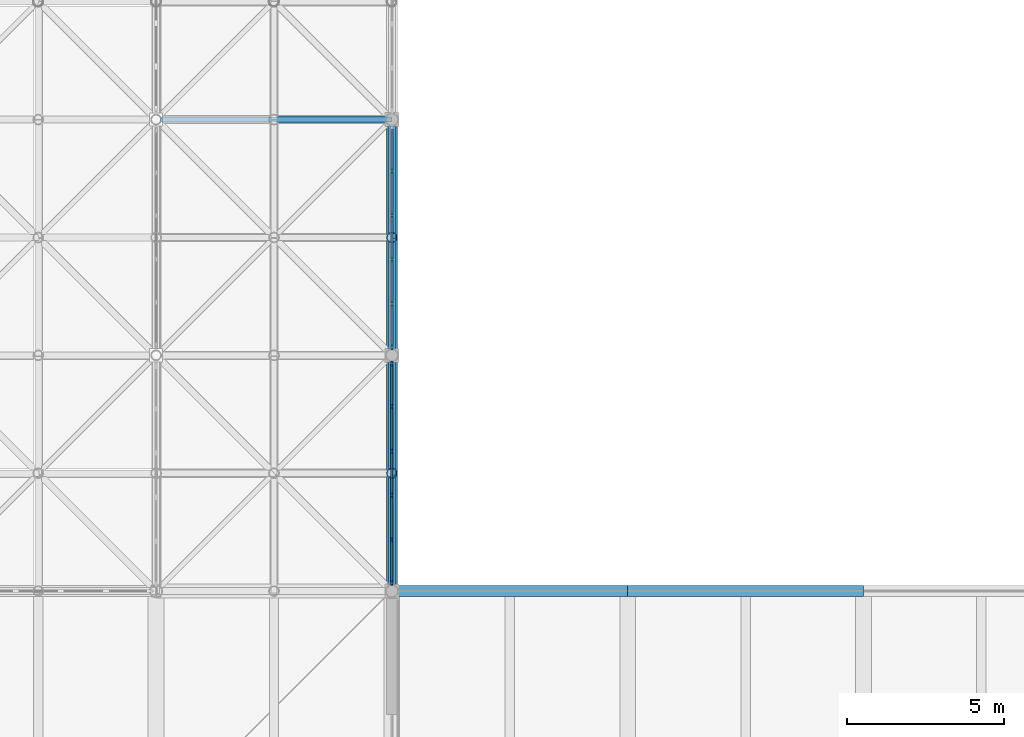
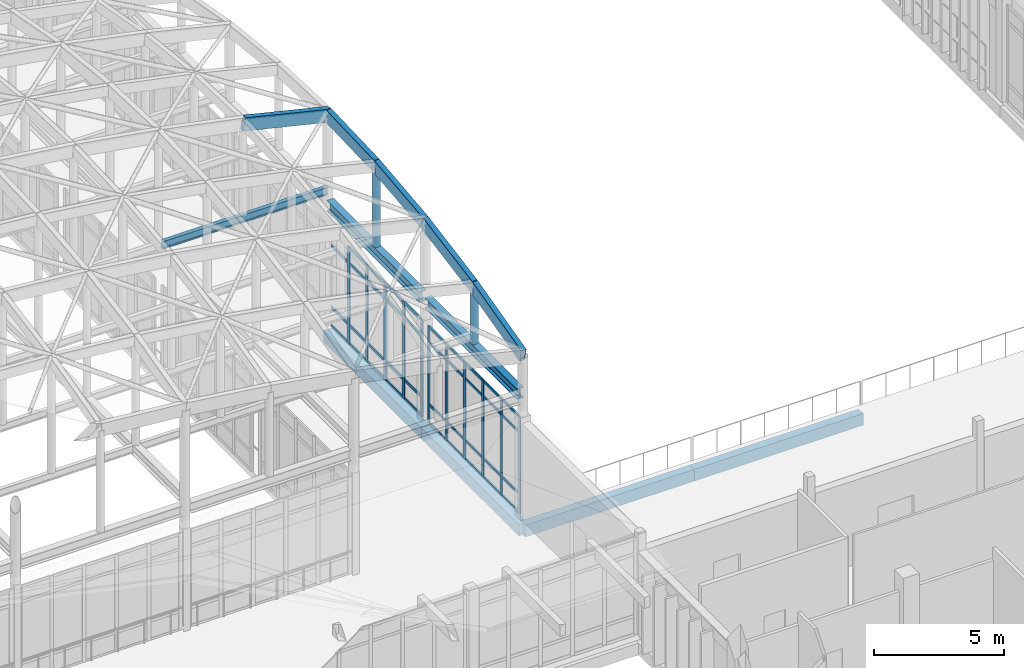
# One storey, part 45 of 131: 57 members, 7 beams, 2 elements without a shape of their own.
"""IFC4 building model written with IfcOpenShell, lengths in metres."""

from ifc_helpers import new_model, si_unit, direction, frame, origin, origin_2d, place, context, subcontext, project, spatial, rectangle, hollow_circle, i_section, extrude, material, layer, layer_set, material_profile, profile_set, type_object, element, aggregate, save


model = new_model("IFC4")

# Units and contexts
model_context = context("Model", 3, precision=1e-05, world=origin(), true_north=direction((0.0, 1.0)))
body_context = subcontext(model_context, "Body", "Model", "MODEL_VIEW")
ifc_project = project(units=[si_unit("LENGTHUNIT", "METRE"), si_unit("AREAUNIT", "SQUARE_METRE"), si_unit("VOLUMEUNIT", "CUBIC_METRE"), si_unit("PLANEANGLEUNIT", "RADIAN"), si_unit("MASSUNIT", "GRAM", prefix="KILO")], contexts=[model_context])

# Site, building, storey
site_placement = place(None, origin())
site = spatial("IfcSite", under=ifc_project, at=site_placement, CompositionType="ELEMENT")
building_placement = place(site_placement, origin())
building = spatial("IfcBuilding", under=site, at=building_placement, Name="Dalvernix Boulevard General Hospital", CompositionType="ELEMENT")
storey_placement = place(building_placement, frame((0.0, 0.0, 9.300048828125)))
storey = spatial("IfcBuildingStorey", under=building, at=storey_placement, Name="L02", CompositionType="ELEMENT", Elevation=9.300048828125)

# Beams
ifc_material_1 = material(Name="Steel S355", Category="steel")
ifc_material_profile_1 = material_profile(ifc_material_1, i_section(OverallWidth=0.300048828125, OverallDepth=0.5, WebThickness=0.014404296875, FlangeThickness=0.028076171875, FilletRadius=0.027099609375, at=origin_2d()), Name="HEB 500")
ifc_profile_set_1 = profile_set([ifc_material_profile_1], Name="Steel S355")
beam_type_1 = type_object("IfcBeamType", Name="BM-RB-02", PredefinedType="BEAM", material=ifc_profile_set_1)
for number, where, z_axis, x_axis, name in (
    (1, (112.5, 31.7099609375, 5.64990234375), (0.0, 1.0, 0.0), (-1.0, 0.0, 0.0), "Gridshell Ring Beam E bay 1"),
    (2, (112.5, 39.2099609375, 5.64990234375), (0.0, 1.0, 0.0), (-1.0, 0.0, 0.0), "Gridshell Ring Beam E bay 2"),
):
    element("IfcBeam", number, at=place(storey_placement, frame(where, z_axis=z_axis, x_axis=x_axis)), inside=storey, type_object=beam_type_1, Name=name, PredefinedType="BEAM", context=body_context, shape_type="SweptSolid", body=[
        extrude(i_section(OverallWidth=0.300048828125, OverallDepth=0.5, WebThickness=0.014404296875, FlangeThickness=0.028076171875, FilletRadius=0.027099609375, at=origin_2d()), origin(), (0.0, 0.0, 1.0), 7.080078125),
    ])
ifc_material_profile_2 = material_profile(ifc_material_1, i_section(OverallWidth=0.169921875, OverallDepth=0.360107421875, WebThickness=0.008056640625, FlangeThickness=0.0126953125, FilletRadius=0.01806640625, at=origin_2d()), Name="IPE 360")
ifc_profile_set_2 = profile_set([ifc_material_profile_2], Name="Steel S355")
beam_type_2 = type_object("IfcBeamType", Name="BM-RB-08", PredefinedType="BEAM", material=ifc_profile_set_2)
beam_placement = place(storey_placement, frame((105.14208984375, 46.5, 6.219970703125), z_axis=(1.0, 0.0, 0.0), x_axis=(0.0, 1.0, 0.0)))
element("IfcBeam", 3, at=beam_placement, inside=storey, type_object=beam_type_2, Name="ROOF TRUSS Gridshell cross tie 12-4", PredefinedType="BEAM", context=body_context, shape_type="SweptSolid", body=[
    extrude(i_section(OverallWidth=0.169921875, OverallDepth=0.360107421875, WebThickness=0.008056640625, FlangeThickness=0.0126953125, FilletRadius=0.01806640625, at=origin_2d()), origin(), (0.0, 0.0, 1.0), 7.35791015625),
])
ifc_material_2 = material(Name="Concrete C35/45", Category="concrete")
ifc_material_profile_3 = material_profile(ifc_material_2, rectangle(XDim=0.35009765625, YDim=0.550048828125, at=origin_2d()), Name="RCB 350x550")
ifc_profile_set_3 = profile_set([ifc_material_profile_3], Name="Concrete C35/45")
beam_type_3 = type_object("IfcBeamType", Name="BM-SB-01-E", PredefinedType="SPANDREL", material=ifc_profile_set_3)
for number, where, z_axis, x_axis, name in (
    (4, (112.5, 31.5, -0.594970703125), (1.0, 0.0, 0.0), (0.0, 1.0, 0.0), "L02 E-W girder E:16-17"),
    (5, (120.0, 31.5, -0.594970703125), (1.0, 0.0, 0.0), (0.0, 1.0, 0.0), "L02 E-W girder E:17-18"),
    (6, (112.5, 31.5, -0.594970703125), (0.0, 1.0, 0.0), (-1.0, 0.0, 0.0), "L02 N-S girder 16:E-F"),
    (7, (112.5, 39.0, -0.594970703125), (0.0, 1.0, 0.0), (-1.0, 0.0, 0.0), "L02 N-S girder 16:F-G"),
):
    element("IfcBeam", number, at=place(storey_placement, frame(where, z_axis=z_axis, x_axis=x_axis)), inside=storey, type_object=beam_type_3, Name=name, PredefinedType="SPANDREL", context=body_context, shape_type="SweptSolid", body=[
        extrude(rectangle(XDim=0.35009765625, YDim=0.550048828125, at=origin_2d()), origin(), (0.0, 0.0, 1.0), 7.5),
    ])

# Curtain wall, members
ifc_material_3 = material(Name="Thermally broken aluminium and solar-control glass curtain wall", Category="aluminium")
ifc_layer_1 = layer(ifc_material_3, 0.159912109375)
ifc_layer_set_1 = layer_set([ifc_layer_1], Name="Thermally broken aluminium and solar-control glass curtain wall (CW-CW-A-70x46)")
curtain_wall_type_1 = type_object("IfcCurtainWallType", Name="CW-CW-A-70x46", PredefinedType="USERDEFINED", material=ifc_layer_set_1)
curtain_wall_1_placement = place(storey_placement, origin())
curtain_wall_1 = element("IfcCurtainWall", 8, at=curtain_wall_1_placement, inside=storey, type_object=curtain_wall_type_1, Name="L02 curtain wall CW-A-70x46 15-4", ObjectType="GLAZED FACADE", PredefinedType="USERDEFINED")
ifc_material_4 = material(Name="Aluminium EN AW-6060", Category="aluminium")
ifc_material_profile_4 = material_profile(ifc_material_4, rectangle(XDim=0.06005859375, YDim=0.159912109375, at=origin_2d()), Name="ALU MULL 60x160")
ifc_profile_set_4 = profile_set([ifc_material_profile_4], Name="Aluminium EN AW-6060")
member_type_1 = type_object("IfcMemberType", Name="MEM-CW-M1", PredefinedType="MULLION", material=ifc_profile_set_4)
member_1_placement = place(storey_placement, frame((112.5, 38.735107421875, 0.0), z_axis=(0.0, 0.0, 1.0), x_axis=(1.0, 0.0, 0.0)))
member_1 = element("IfcMember", 9, at=member_1_placement, type_object=member_type_1, Name="CW-A-70x46 mullion 1", PredefinedType="MULLION", context=body_context, shape_type="SweptSolid", body=[
    extrude(rectangle(XDim=0.06005859375, YDim=0.159912109375, at=origin_2d()), origin(), (0.0, 0.0, 1.0), 4.550048828125),
])
member_2_placement = place(storey_placement, frame((112.5, 37.35888671875, 0.0), z_axis=(0.0, 0.0, 1.0), x_axis=(1.0, 0.0, 0.0)))
member_2 = element("IfcMember", 10, at=member_2_placement, type_object=member_type_1, Name="CW-A-70x46 mullion 2", PredefinedType="MULLION", context=body_context, shape_type="SweptSolid", body=[
    extrude(rectangle(XDim=0.06005859375, YDim=0.159912109375, at=origin_2d()), origin(), (0.0, 0.0, 1.0), 4.550048828125),
])
member_3_placement = place(storey_placement, frame((112.5, 35.952880859375, 0.0), z_axis=(0.0, 0.0, 1.0), x_axis=(1.0, 0.0, 0.0)))
member_3 = element("IfcMember", 11, at=member_3_placement, type_object=member_type_1, Name="CW-A-70x46 mullion 3", PredefinedType="MULLION", context=body_context, shape_type="SweptSolid", body=[
    extrude(rectangle(XDim=0.06005859375, YDim=0.159912109375, at=origin_2d()), origin(), (0.0, 0.0, 1.0), 4.550048828125),
])
member_4_placement = place(storey_placement, frame((112.5, 34.547119140625, 0.0), z_axis=(0.0, 0.0, 1.0), x_axis=(1.0, 0.0, 0.0)))
member_4 = element("IfcMember", 12, at=member_4_placement, type_object=member_type_1, Name="CW-A-70x46 mullion 4", PredefinedType="MULLION", context=body_context, shape_type="SweptSolid", body=[
    extrude(rectangle(XDim=0.06005859375, YDim=0.159912109375, at=origin_2d()), origin(), (0.0, 0.0, 1.0), 4.550048828125),
])
member_5_placement = place(storey_placement, frame((112.5, 33.14111328125, 0.0), z_axis=(0.0, 0.0, 1.0), x_axis=(1.0, 0.0, 0.0)))
member_5 = element("IfcMember", 13, at=member_5_placement, type_object=member_type_1, Name="CW-A-70x46 mullion 5", PredefinedType="MULLION", context=body_context, shape_type="SweptSolid", body=[
    extrude(rectangle(XDim=0.06005859375, YDim=0.159912109375, at=origin_2d()), origin(), (0.0, 0.0, 1.0), 4.550048828125),
])
member_6_placement = place(storey_placement, frame((112.5, 31.764892578125, 0.0), z_axis=(0.0, 0.0, 1.0), x_axis=(1.0, 0.0, 0.0)))
member_6 = element("IfcMember", 14, at=member_6_placement, type_object=member_type_1, Name="CW-A-70x46 mullion 6", PredefinedType="MULLION", context=body_context, shape_type="SweptSolid", body=[
    extrude(rectangle(XDim=0.06005859375, YDim=0.159912109375, at=origin_2d()), origin(), (0.0, 0.0, 1.0), 4.550048828125),
])

ifc_layer_2 = layer(ifc_material_3, 0.179931640625)
ifc_layer_set_2 = layer_set([ifc_layer_2], Name="Thermally broken aluminium and solar-control glass curtain wall (CW-CW-B-70x46)")
curtain_wall_type_2 = type_object("IfcCurtainWallType", Name="CW-CW-B-70x46", PredefinedType="USERDEFINED", material=ifc_layer_set_2)
curtain_wall_2_placement = place(storey_placement, origin())
curtain_wall_2 = element("IfcCurtainWall", 15, at=curtain_wall_2_placement, inside=storey, type_object=curtain_wall_type_2, Name="L02 curtain wall CW-B-70x46 15-5", ObjectType="GLAZED FACADE", PredefinedType="USERDEFINED")
ifc_material_profile_5 = material_profile(ifc_material_4, rectangle(XDim=0.06494140625, YDim=0.179931640625, at=origin_2d()), Name="ALU MULL 65x180")
ifc_profile_set_5 = profile_set([ifc_material_profile_5], Name="Aluminium EN AW-6060")
member_type_2 = type_object("IfcMemberType", Name="MEM-CW-M2", PredefinedType="MULLION", material=ifc_profile_set_5)
member_7_placement = place(storey_placement, frame((112.5, 44.85888671875, 0.0), z_axis=(0.0, 0.0, 1.0), x_axis=(1.0, 0.0, 0.0)))
member_7 = element("IfcMember", 16, at=member_7_placement, type_object=member_type_2, Name="CW-B-70x46 mullion 2", PredefinedType="MULLION", context=body_context, shape_type="SweptSolid", body=[
    extrude(rectangle(XDim=0.06494140625, YDim=0.179931640625, at=origin_2d()), origin(), (0.0, 0.0, 1.0), 4.550048828125),
])
member_8_placement = place(storey_placement, frame((112.5, 43.452880859375, 0.0), z_axis=(0.0, 0.0, 1.0), x_axis=(1.0, 0.0, 0.0)))
member_8 = element("IfcMember", 17, at=member_8_placement, type_object=member_type_2, Name="CW-B-70x46 mullion 3", PredefinedType="MULLION", context=body_context, shape_type="SweptSolid", body=[
    extrude(rectangle(XDim=0.06494140625, YDim=0.179931640625, at=origin_2d()), origin(), (0.0, 0.0, 1.0), 4.550048828125),
])
member_9_placement = place(storey_placement, frame((112.5, 42.047119140625, 0.0), z_axis=(0.0, 0.0, 1.0), x_axis=(1.0, 0.0, 0.0)))
member_9 = element("IfcMember", 18, at=member_9_placement, type_object=member_type_2, Name="CW-B-70x46 mullion 4", PredefinedType="MULLION", context=body_context, shape_type="SweptSolid", body=[
    extrude(rectangle(XDim=0.06494140625, YDim=0.179931640625, at=origin_2d()), origin(), (0.0, 0.0, 1.0), 4.550048828125),
])
member_10_placement = place(storey_placement, frame((112.5, 40.64111328125, 0.0), z_axis=(0.0, 0.0, 1.0), x_axis=(1.0, 0.0, 0.0)))
member_10 = element("IfcMember", 19, at=member_10_placement, type_object=member_type_2, Name="CW-B-70x46 mullion 5", PredefinedType="MULLION", context=body_context, shape_type="SweptSolid", body=[
    extrude(rectangle(XDim=0.06494140625, YDim=0.179931640625, at=origin_2d()), origin(), (0.0, 0.0, 1.0), 4.550048828125),
])
member_11_placement = place(storey_placement, frame((112.5, 39.267578125, 0.0), z_axis=(0.0, 0.0, 1.0), x_axis=(1.0, 0.0, 0.0)))
member_11 = element("IfcMember", 20, at=member_11_placement, type_object=member_type_2, Name="CW-B-70x46 mullion 6", PredefinedType="MULLION", context=body_context, shape_type="SweptSolid", body=[
    extrude(rectangle(XDim=0.06494140625, YDim=0.179931640625, at=origin_2d()), origin(), (0.0, 0.0, 1.0), 4.550048828125),
])

# Member
ifc_material_profile_6 = material_profile(ifc_material_4, rectangle(XDim=0.06005859375, YDim=0.1201171875, at=origin_2d()), Name="ALU TRAN 60x120")
ifc_profile_set_6 = profile_set([ifc_material_profile_6], Name="Aluminium EN AW-6060")
member_type_3 = type_object("IfcMemberType", Name="MEM-CW-T1", PredefinedType="USERDEFINED", material=ifc_profile_set_6)
member_12_placement = place(storey_placement, frame((112.5, 38.705078125, 0.030029296875), z_axis=(0.0, -1.0, 0.0), x_axis=(1.0, 0.0, 0.0)))
member_12 = element("IfcMember", 21, at=member_12_placement, type_object=member_type_3, Name="CW-A-70x46 transom 1.1", ObjectType="TRANSOM", PredefinedType="USERDEFINED", context=body_context, shape_type="SweptSolid", body=[
    extrude(rectangle(XDim=0.06005859375, YDim=0.1201171875, at=origin_2d()), origin(), (0.0, 0.0, 1.0), 1.316162109375),
])

member_13_placement = place(storey_placement, frame((112.5, 38.705078125, 0.89990234375), z_axis=(0.0, -1.0, 0.0), x_axis=(1.0, 0.0, 0.0)))
member_13 = element("IfcMember", 22, at=member_13_placement, type_object=member_type_3, Name="CW-A-70x46 transom 1.2", ObjectType="TRANSOM", PredefinedType="USERDEFINED", context=body_context, shape_type="SweptSolid", body=[
    extrude(rectangle(XDim=0.06005859375, YDim=0.1201171875, at=origin_2d()), origin(), (0.0, 0.0, 1.0), 1.316162109375),
])

member_14_placement = place(storey_placement, frame((112.5, 38.705078125, 3.800048828125), z_axis=(0.0, -1.0, 0.0), x_axis=(1.0, 0.0, 0.0)))
member_14 = element("IfcMember", 23, at=member_14_placement, type_object=member_type_3, Name="CW-A-70x46 transom 1.3", ObjectType="TRANSOM", PredefinedType="USERDEFINED", context=body_context, shape_type="SweptSolid", body=[
    extrude(rectangle(XDim=0.06005859375, YDim=0.1201171875, at=origin_2d()), origin(), (0.0, 0.0, 1.0), 1.316162109375),
])

member_15_placement = place(storey_placement, frame((112.5, 38.705078125, 4.52001953125), z_axis=(0.0, -1.0, 0.0), x_axis=(1.0, 0.0, 0.0)))
member_15 = element("IfcMember", 24, at=member_15_placement, type_object=member_type_3, Name="CW-A-70x46 transom 1.4", ObjectType="TRANSOM", PredefinedType="USERDEFINED", context=body_context, shape_type="SweptSolid", body=[
    extrude(rectangle(XDim=0.06005859375, YDim=0.1201171875, at=origin_2d()), origin(), (0.0, 0.0, 1.0), 1.316162109375),
])

member_16_placement = place(storey_placement, frame((112.5, 37.3291015625, 0.030029296875), z_axis=(0.0, -1.0, 0.0), x_axis=(1.0, 0.0, 0.0)))
member_16 = element("IfcMember", 25, at=member_16_placement, type_object=member_type_3, Name="CW-A-70x46 transom 2.1", ObjectType="TRANSOM", PredefinedType="USERDEFINED", context=body_context, shape_type="SweptSolid", body=[
    extrude(rectangle(XDim=0.06005859375, YDim=0.1201171875, at=origin_2d()), origin(), (0.0, 0.0, 1.0), 1.34619140625),
])

member_17_placement = place(storey_placement, frame((112.5, 37.3291015625, 0.89990234375), z_axis=(0.0, -1.0, 0.0), x_axis=(1.0, 0.0, 0.0)))
member_17 = element("IfcMember", 26, at=member_17_placement, type_object=member_type_3, Name="CW-A-70x46 transom 2.2", ObjectType="TRANSOM", PredefinedType="USERDEFINED", context=body_context, shape_type="SweptSolid", body=[
    extrude(rectangle(XDim=0.06005859375, YDim=0.1201171875, at=origin_2d()), origin(), (0.0, 0.0, 1.0), 1.34619140625),
])

member_18_placement = place(storey_placement, frame((112.5, 37.3291015625, 3.800048828125), z_axis=(0.0, -1.0, 0.0), x_axis=(1.0, 0.0, 0.0)))
member_18 = element("IfcMember", 27, at=member_18_placement, type_object=member_type_3, Name="CW-A-70x46 transom 2.3", ObjectType="TRANSOM", PredefinedType="USERDEFINED", context=body_context, shape_type="SweptSolid", body=[
    extrude(rectangle(XDim=0.06005859375, YDim=0.1201171875, at=origin_2d()), origin(), (0.0, 0.0, 1.0), 1.34619140625),
])

member_19_placement = place(storey_placement, frame((112.5, 37.3291015625, 4.52001953125), z_axis=(0.0, -1.0, 0.0), x_axis=(1.0, 0.0, 0.0)))
member_19 = element("IfcMember", 28, at=member_19_placement, type_object=member_type_3, Name="CW-A-70x46 transom 2.4", ObjectType="TRANSOM", PredefinedType="USERDEFINED", context=body_context, shape_type="SweptSolid", body=[
    extrude(rectangle(XDim=0.06005859375, YDim=0.1201171875, at=origin_2d()), origin(), (0.0, 0.0, 1.0), 1.34619140625),
])

member_20_placement = place(storey_placement, frame((112.5, 35.923095703125, 0.030029296875), z_axis=(0.0, -1.0, 0.0), x_axis=(1.0, 0.0, 0.0)))
member_20 = element("IfcMember", 29, at=member_20_placement, type_object=member_type_3, Name="CW-A-70x46 transom 3.1", ObjectType="TRANSOM", PredefinedType="USERDEFINED", context=body_context, shape_type="SweptSolid", body=[
    extrude(rectangle(XDim=0.06005859375, YDim=0.1201171875, at=origin_2d()), origin(), (0.0, 0.0, 1.0), 1.34619140625),
])

member_21_placement = place(storey_placement, frame((112.5, 35.923095703125, 0.89990234375), z_axis=(0.0, -1.0, 0.0), x_axis=(1.0, 0.0, 0.0)))
member_21 = element("IfcMember", 30, at=member_21_placement, type_object=member_type_3, Name="CW-A-70x46 transom 3.2", ObjectType="TRANSOM", PredefinedType="USERDEFINED", context=body_context, shape_type="SweptSolid", body=[
    extrude(rectangle(XDim=0.06005859375, YDim=0.1201171875, at=origin_2d()), origin(), (0.0, 0.0, 1.0), 1.34619140625),
])

member_22_placement = place(storey_placement, frame((112.5, 35.923095703125, 3.800048828125), z_axis=(0.0, -1.0, 0.0), x_axis=(1.0, 0.0, 0.0)))
member_22 = element("IfcMember", 31, at=member_22_placement, type_object=member_type_3, Name="CW-A-70x46 transom 3.3", ObjectType="TRANSOM", PredefinedType="USERDEFINED", context=body_context, shape_type="SweptSolid", body=[
    extrude(rectangle(XDim=0.06005859375, YDim=0.1201171875, at=origin_2d()), origin(), (0.0, 0.0, 1.0), 1.34619140625),
])

member_23_placement = place(storey_placement, frame((112.5, 35.923095703125, 4.52001953125), z_axis=(0.0, -1.0, 0.0), x_axis=(1.0, 0.0, 0.0)))
member_23 = element("IfcMember", 32, at=member_23_placement, type_object=member_type_3, Name="CW-A-70x46 transom 3.4", ObjectType="TRANSOM", PredefinedType="USERDEFINED", context=body_context, shape_type="SweptSolid", body=[
    extrude(rectangle(XDim=0.06005859375, YDim=0.1201171875, at=origin_2d()), origin(), (0.0, 0.0, 1.0), 1.34619140625),
])

member_24_placement = place(storey_placement, frame((112.5, 34.51708984375, 0.030029296875), z_axis=(0.0, -1.0, 0.0), x_axis=(1.0, 0.0, 0.0)))
member_24 = element("IfcMember", 33, at=member_24_placement, type_object=member_type_3, Name="CW-A-70x46 transom 4.1", ObjectType="TRANSOM", PredefinedType="USERDEFINED", context=body_context, shape_type="SweptSolid", body=[
    extrude(rectangle(XDim=0.06005859375, YDim=0.1201171875, at=origin_2d()), origin(), (0.0, 0.0, 1.0), 1.34619140625),
])

member_25_placement = place(storey_placement, frame((112.5, 34.51708984375, 0.89990234375), z_axis=(0.0, -1.0, 0.0), x_axis=(1.0, 0.0, 0.0)))
member_25 = element("IfcMember", 34, at=member_25_placement, type_object=member_type_3, Name="CW-A-70x46 transom 4.2", ObjectType="TRANSOM", PredefinedType="USERDEFINED", context=body_context, shape_type="SweptSolid", body=[
    extrude(rectangle(XDim=0.06005859375, YDim=0.1201171875, at=origin_2d()), origin(), (0.0, 0.0, 1.0), 1.34619140625),
])

member_26_placement = place(storey_placement, frame((112.5, 34.51708984375, 3.800048828125), z_axis=(0.0, -1.0, 0.0), x_axis=(1.0, 0.0, 0.0)))
member_26 = element("IfcMember", 35, at=member_26_placement, type_object=member_type_3, Name="CW-A-70x46 transom 4.3", ObjectType="TRANSOM", PredefinedType="USERDEFINED", context=body_context, shape_type="SweptSolid", body=[
    extrude(rectangle(XDim=0.06005859375, YDim=0.1201171875, at=origin_2d()), origin(), (0.0, 0.0, 1.0), 1.34619140625),
])

member_27_placement = place(storey_placement, frame((112.5, 34.51708984375, 4.52001953125), z_axis=(0.0, -1.0, 0.0), x_axis=(1.0, 0.0, 0.0)))
member_27 = element("IfcMember", 36, at=member_27_placement, type_object=member_type_3, Name="CW-A-70x46 transom 4.4", ObjectType="TRANSOM", PredefinedType="USERDEFINED", context=body_context, shape_type="SweptSolid", body=[
    extrude(rectangle(XDim=0.06005859375, YDim=0.1201171875, at=origin_2d()), origin(), (0.0, 0.0, 1.0), 1.34619140625),
])

member_28_placement = place(storey_placement, frame((112.5, 33.111083984375, 0.030029296875), z_axis=(0.0, -1.0, 0.0), x_axis=(1.0, 0.0, 0.0)))
member_28 = element("IfcMember", 37, at=member_28_placement, type_object=member_type_3, Name="CW-A-70x46 transom 5.1", ObjectType="TRANSOM", PredefinedType="USERDEFINED", context=body_context, shape_type="SweptSolid", body=[
    extrude(rectangle(XDim=0.06005859375, YDim=0.1201171875, at=origin_2d()), origin(), (0.0, 0.0, 1.0), 1.316162109375),
])

member_29_placement = place(storey_placement, frame((112.5, 33.111083984375, 0.89990234375), z_axis=(0.0, -1.0, 0.0), x_axis=(1.0, 0.0, 0.0)))
member_29 = element("IfcMember", 38, at=member_29_placement, type_object=member_type_3, Name="CW-A-70x46 transom 5.2", ObjectType="TRANSOM", PredefinedType="USERDEFINED", context=body_context, shape_type="SweptSolid", body=[
    extrude(rectangle(XDim=0.06005859375, YDim=0.1201171875, at=origin_2d()), origin(), (0.0, 0.0, 1.0), 1.316162109375),
])

member_30_placement = place(storey_placement, frame((112.5, 33.111083984375, 3.800048828125), z_axis=(0.0, -1.0, 0.0), x_axis=(1.0, 0.0, 0.0)))
member_30 = element("IfcMember", 39, at=member_30_placement, type_object=member_type_3, Name="CW-A-70x46 transom 5.3", ObjectType="TRANSOM", PredefinedType="USERDEFINED", context=body_context, shape_type="SweptSolid", body=[
    extrude(rectangle(XDim=0.06005859375, YDim=0.1201171875, at=origin_2d()), origin(), (0.0, 0.0, 1.0), 1.316162109375),
])

member_31_placement = place(storey_placement, frame((112.5, 33.111083984375, 4.52001953125), z_axis=(0.0, -1.0, 0.0), x_axis=(1.0, 0.0, 0.0)))
member_31 = element("IfcMember", 40, at=member_31_placement, type_object=member_type_3, Name="CW-A-70x46 transom 5.4", ObjectType="TRANSOM", PredefinedType="USERDEFINED", context=body_context, shape_type="SweptSolid", body=[
    extrude(rectangle(XDim=0.06005859375, YDim=0.1201171875, at=origin_2d()), origin(), (0.0, 0.0, 1.0), 1.316162109375),
])

aggregate(curtain_wall_1, [member_1, member_2, member_3, member_4, member_5, member_6, member_12, member_13, member_14, member_15, member_16, member_17, member_18, member_19, member_20, member_21, member_22, member_23, member_24, member_25, member_26, member_27, member_28, member_29, member_30, member_31])

ifc_material_profile_7 = material_profile(ifc_material_4, rectangle(XDim=0.06494140625, YDim=0.139892578125, at=origin_2d()), Name="ALU TRAN 65x140")
ifc_profile_set_7 = profile_set([ifc_material_profile_7], Name="Aluminium EN AW-6060")
member_type_4 = type_object("IfcMemberType", Name="MEM-CW-T2", PredefinedType="USERDEFINED", material=ifc_profile_set_7)
member_32_placement = place(storey_placement, frame((112.5, 46.199951171875, 0.032470703125), z_axis=(0.0, -1.0, 0.0), x_axis=(1.0, 0.0, 0.0)))
member_32 = element("IfcMember", 41, at=member_32_placement, type_object=member_type_4, Name="CW-B-70x46 transom 1.1", ObjectType="TRANSOM", PredefinedType="USERDEFINED", context=body_context, shape_type="SweptSolid", body=[
    extrude(rectangle(XDim=0.06494140625, YDim=0.139892578125, at=origin_2d()), origin(), (0.0, 0.0, 1.0), 1.308349609375),
])

member_33_placement = place(storey_placement, frame((112.5, 46.199951171875, 0.89990234375), z_axis=(0.0, -1.0, 0.0), x_axis=(1.0, 0.0, 0.0)))
member_33 = element("IfcMember", 42, at=member_33_placement, type_object=member_type_4, Name="CW-B-70x46 transom 1.2", ObjectType="TRANSOM", PredefinedType="USERDEFINED", context=body_context, shape_type="SweptSolid", body=[
    extrude(rectangle(XDim=0.06494140625, YDim=0.139892578125, at=origin_2d()), origin(), (0.0, 0.0, 1.0), 1.308349609375),
])

member_34_placement = place(storey_placement, frame((112.5, 46.199951171875, 3.800048828125), z_axis=(0.0, -1.0, 0.0), x_axis=(1.0, 0.0, 0.0)))
member_34 = element("IfcMember", 43, at=member_34_placement, type_object=member_type_4, Name="CW-B-70x46 transom 1.3", ObjectType="TRANSOM", PredefinedType="USERDEFINED", context=body_context, shape_type="SweptSolid", body=[
    extrude(rectangle(XDim=0.06494140625, YDim=0.139892578125, at=origin_2d()), origin(), (0.0, 0.0, 1.0), 1.308349609375),
])

member_35_placement = place(storey_placement, frame((112.5, 44.826416015625, 0.032470703125), z_axis=(0.0, -1.0, 0.0), x_axis=(1.0, 0.0, 0.0)))
member_35 = element("IfcMember", 44, at=member_35_placement, type_object=member_type_4, Name="CW-B-70x46 transom 2.1", ObjectType="TRANSOM", PredefinedType="USERDEFINED", context=body_context, shape_type="SweptSolid", body=[
    extrude(rectangle(XDim=0.06494140625, YDim=0.139892578125, at=origin_2d()), origin(), (0.0, 0.0, 1.0), 1.3408203125),
])

member_36_placement = place(storey_placement, frame((112.5, 44.826416015625, 0.89990234375), z_axis=(0.0, -1.0, 0.0), x_axis=(1.0, 0.0, 0.0)))
member_36 = element("IfcMember", 45, at=member_36_placement, type_object=member_type_4, Name="CW-B-70x46 transom 2.2", ObjectType="TRANSOM", PredefinedType="USERDEFINED", context=body_context, shape_type="SweptSolid", body=[
    extrude(rectangle(XDim=0.06494140625, YDim=0.139892578125, at=origin_2d()), origin(), (0.0, 0.0, 1.0), 1.3408203125),
])

member_37_placement = place(storey_placement, frame((112.5, 44.826416015625, 3.800048828125), z_axis=(0.0, -1.0, 0.0), x_axis=(1.0, 0.0, 0.0)))
member_37 = element("IfcMember", 46, at=member_37_placement, type_object=member_type_4, Name="CW-B-70x46 transom 2.3", ObjectType="TRANSOM", PredefinedType="USERDEFINED", context=body_context, shape_type="SweptSolid", body=[
    extrude(rectangle(XDim=0.06494140625, YDim=0.139892578125, at=origin_2d()), origin(), (0.0, 0.0, 1.0), 1.3408203125),
])

member_38_placement = place(storey_placement, frame((112.5, 44.826416015625, 4.517333984375), z_axis=(0.0, -1.0, 0.0), x_axis=(1.0, 0.0, 0.0)))
member_38 = element("IfcMember", 47, at=member_38_placement, type_object=member_type_4, Name="CW-B-70x46 transom 2.4", ObjectType="TRANSOM", PredefinedType="USERDEFINED", context=body_context, shape_type="SweptSolid", body=[
    extrude(rectangle(XDim=0.06494140625, YDim=0.139892578125, at=origin_2d()), origin(), (0.0, 0.0, 1.0), 1.3408203125),
])

member_39_placement = place(storey_placement, frame((112.5, 43.42041015625, 0.032470703125), z_axis=(0.0, -1.0, 0.0), x_axis=(1.0, 0.0, 0.0)))
member_39 = element("IfcMember", 48, at=member_39_placement, type_object=member_type_4, Name="CW-B-70x46 transom 3.1", ObjectType="TRANSOM", PredefinedType="USERDEFINED", context=body_context, shape_type="SweptSolid", body=[
    extrude(rectangle(XDim=0.06494140625, YDim=0.139892578125, at=origin_2d()), origin(), (0.0, 0.0, 1.0), 1.3408203125),
])

member_40_placement = place(storey_placement, frame((112.5, 43.42041015625, 0.89990234375), z_axis=(0.0, -1.0, 0.0), x_axis=(1.0, 0.0, 0.0)))
member_40 = element("IfcMember", 49, at=member_40_placement, type_object=member_type_4, Name="CW-B-70x46 transom 3.2", ObjectType="TRANSOM", PredefinedType="USERDEFINED", context=body_context, shape_type="SweptSolid", body=[
    extrude(rectangle(XDim=0.06494140625, YDim=0.139892578125, at=origin_2d()), origin(), (0.0, 0.0, 1.0), 1.3408203125),
])

member_41_placement = place(storey_placement, frame((112.5, 43.42041015625, 3.800048828125), z_axis=(0.0, -1.0, 0.0), x_axis=(1.0, 0.0, 0.0)))
member_41 = element("IfcMember", 50, at=member_41_placement, type_object=member_type_4, Name="CW-B-70x46 transom 3.3", ObjectType="TRANSOM", PredefinedType="USERDEFINED", context=body_context, shape_type="SweptSolid", body=[
    extrude(rectangle(XDim=0.06494140625, YDim=0.139892578125, at=origin_2d()), origin(), (0.0, 0.0, 1.0), 1.3408203125),
])

member_42_placement = place(storey_placement, frame((112.5, 43.42041015625, 4.517333984375), z_axis=(0.0, -1.0, 0.0), x_axis=(1.0, 0.0, 0.0)))
member_42 = element("IfcMember", 51, at=member_42_placement, type_object=member_type_4, Name="CW-B-70x46 transom 3.4", ObjectType="TRANSOM", PredefinedType="USERDEFINED", context=body_context, shape_type="SweptSolid", body=[
    extrude(rectangle(XDim=0.06494140625, YDim=0.139892578125, at=origin_2d()), origin(), (0.0, 0.0, 1.0), 1.3408203125),
])

member_43_placement = place(storey_placement, frame((112.5, 42.014404296875, 0.032470703125), z_axis=(0.0, -1.0, 0.0), x_axis=(1.0, 0.0, 0.0)))
member_43 = element("IfcMember", 52, at=member_43_placement, type_object=member_type_4, Name="CW-B-70x46 transom 4.1", ObjectType="TRANSOM", PredefinedType="USERDEFINED", context=body_context, shape_type="SweptSolid", body=[
    extrude(rectangle(XDim=0.06494140625, YDim=0.139892578125, at=origin_2d()), origin(), (0.0, 0.0, 1.0), 1.3408203125),
])

member_44_placement = place(storey_placement, frame((112.5, 42.014404296875, 0.89990234375), z_axis=(0.0, -1.0, 0.0), x_axis=(1.0, 0.0, 0.0)))
member_44 = element("IfcMember", 53, at=member_44_placement, type_object=member_type_4, Name="CW-B-70x46 transom 4.2", ObjectType="TRANSOM", PredefinedType="USERDEFINED", context=body_context, shape_type="SweptSolid", body=[
    extrude(rectangle(XDim=0.06494140625, YDim=0.139892578125, at=origin_2d()), origin(), (0.0, 0.0, 1.0), 1.3408203125),
])

member_45_placement = place(storey_placement, frame((112.5, 42.014404296875, 3.800048828125), z_axis=(0.0, -1.0, 0.0), x_axis=(1.0, 0.0, 0.0)))
member_45 = element("IfcMember", 54, at=member_45_placement, type_object=member_type_4, Name="CW-B-70x46 transom 4.3", ObjectType="TRANSOM", PredefinedType="USERDEFINED", context=body_context, shape_type="SweptSolid", body=[
    extrude(rectangle(XDim=0.06494140625, YDim=0.139892578125, at=origin_2d()), origin(), (0.0, 0.0, 1.0), 1.3408203125),
])

member_46_placement = place(storey_placement, frame((112.5, 42.014404296875, 4.517333984375), z_axis=(0.0, -1.0, 0.0), x_axis=(1.0, 0.0, 0.0)))
member_46 = element("IfcMember", 55, at=member_46_placement, type_object=member_type_4, Name="CW-B-70x46 transom 4.4", ObjectType="TRANSOM", PredefinedType="USERDEFINED", context=body_context, shape_type="SweptSolid", body=[
    extrude(rectangle(XDim=0.06494140625, YDim=0.139892578125, at=origin_2d()), origin(), (0.0, 0.0, 1.0), 1.3408203125),
])

member_47_placement = place(storey_placement, frame((112.5, 40.6083984375, 0.032470703125), z_axis=(0.0, -1.0, 0.0), x_axis=(1.0, 0.0, 0.0)))
member_47 = element("IfcMember", 56, at=member_47_placement, type_object=member_type_4, Name="CW-B-70x46 transom 5.1", ObjectType="TRANSOM", PredefinedType="USERDEFINED", context=body_context, shape_type="SweptSolid", body=[
    extrude(rectangle(XDim=0.06494140625, YDim=0.139892578125, at=origin_2d()), origin(), (0.0, 0.0, 1.0), 1.308349609375),
])

member_48_placement = place(storey_placement, frame((112.5, 40.6083984375, 0.89990234375), z_axis=(0.0, -1.0, 0.0), x_axis=(1.0, 0.0, 0.0)))
member_48 = element("IfcMember", 57, at=member_48_placement, type_object=member_type_4, Name="CW-B-70x46 transom 5.2", ObjectType="TRANSOM", PredefinedType="USERDEFINED", context=body_context, shape_type="SweptSolid", body=[
    extrude(rectangle(XDim=0.06494140625, YDim=0.139892578125, at=origin_2d()), origin(), (0.0, 0.0, 1.0), 1.308349609375),
])

member_49_placement = place(storey_placement, frame((112.5, 40.6083984375, 3.800048828125), z_axis=(0.0, -1.0, 0.0), x_axis=(1.0, 0.0, 0.0)))
member_49 = element("IfcMember", 58, at=member_49_placement, type_object=member_type_4, Name="CW-B-70x46 transom 5.3", ObjectType="TRANSOM", PredefinedType="USERDEFINED", context=body_context, shape_type="SweptSolid", body=[
    extrude(rectangle(XDim=0.06494140625, YDim=0.139892578125, at=origin_2d()), origin(), (0.0, 0.0, 1.0), 1.308349609375),
])

member_50_placement = place(storey_placement, frame((112.5, 40.6083984375, 4.517333984375), z_axis=(0.0, -1.0, 0.0), x_axis=(1.0, 0.0, 0.0)))
member_50 = element("IfcMember", 59, at=member_50_placement, type_object=member_type_4, Name="CW-B-70x46 transom 5.4", ObjectType="TRANSOM", PredefinedType="USERDEFINED", context=body_context, shape_type="SweptSolid", body=[
    extrude(rectangle(XDim=0.06494140625, YDim=0.139892578125, at=origin_2d()), origin(), (0.0, 0.0, 1.0), 1.308349609375),
])

aggregate(curtain_wall_2, [member_7, member_8, member_9, member_10, member_11, member_32, member_33, member_34, member_35, member_36, member_37, member_38, member_39, member_40, member_41, member_42, member_43, member_44, member_45, member_46, member_47, member_48, member_49, member_50])

# Members
ifc_material_5 = material(Name="Glulam GL28h", Category="wood")
ifc_material_profile_8 = material_profile(ifc_material_5, rectangle(XDim=0.219970703125, YDim=0.60009765625, at=origin_2d()), Name="GL28h 220x600")
ifc_profile_set_8 = profile_set([ifc_material_profile_8], Name="Glulam GL28h")
member_type_5 = type_object("IfcMemberType", Name="MEM-GS-C1", PredefinedType="CHORD", material=ifc_profile_set_8)
member_51_placement = place(storey_placement, frame((108.75, 46.5, 10.65185546875), z_axis=(0.972278025754, 0.0, -0.233827801246), x_axis=(0.0, 1.0, 0.0)))
element("IfcMember", 60, at=member_51_placement, inside=storey, type_object=member_type_5, Name="ROOF TRUSS Gridshell E-W glulam rib 14-5", PredefinedType="CHORD", context=body_context, shape_type="SweptSolid", body=[
    extrude(rectangle(XDim=0.219970703125, YDim=0.60009765625, at=origin_2d()), origin(), (0.0, 0.0, 1.0), 3.85693359375),
])
member_52_placement = place(storey_placement, frame((112.5, 31.5, 7.550048828125), z_axis=(0.0, 0.968610158303, 0.248584716408), x_axis=(-1.0, 0.0, 0.0)))
element("IfcMember", 61, at=member_52_placement, inside=storey, type_object=member_type_5, Name="ROOF TRUSS Gridshell N-S glulam rib 15-1", PredefinedType="CHORD", context=body_context, shape_type="SweptSolid", body=[
    extrude(rectangle(XDim=0.219970703125, YDim=0.60009765625, at=origin_2d()), origin(), (0.0, 0.0, 1.0), 3.87158203125),
])
member_53_placement = place(storey_placement, frame((112.5, 35.25, 8.512451171875), z_axis=(0.0, 0.983606557377, 0.180327868852), x_axis=(-1.0, 0.0, 0.0)))
element("IfcMember", 62, at=member_53_placement, inside=storey, type_object=member_type_5, Name="ROOF TRUSS Gridshell N-S glulam rib 15-2", PredefinedType="CHORD", context=body_context, shape_type="SweptSolid", body=[
    extrude(rectangle(XDim=0.219970703125, YDim=0.60009765625, at=origin_2d()), origin(), (0.0, 0.0, 1.0), 3.8125),
])
member_54_placement = place(storey_placement, frame((112.5, 39.0, 9.199951171875), z_axis=(0.0, 0.994001542248, 0.109366055104), x_axis=(-1.0, 0.0, 0.0)))
element("IfcMember", 63, at=member_54_placement, inside=storey, type_object=member_type_5, Name="ROOF TRUSS Gridshell N-S glulam rib 15-3", PredefinedType="CHORD", context=body_context, shape_type="SweptSolid", body=[
    extrude(rectangle(XDim=0.219970703125, YDim=0.60009765625, at=origin_2d()), origin(), (0.0, 0.0, 1.0), 3.772705078125),
])
member_55_placement = place(storey_placement, frame((112.5, 42.75, 9.612548828125), z_axis=(0.0, 0.999328931228, 0.036629048716), x_axis=(-1.0, 0.0, 0.0)))
element("IfcMember", 64, at=member_55_placement, inside=storey, type_object=member_type_5, Name="ROOF TRUSS Gridshell N-S glulam rib 15-4", PredefinedType="CHORD", context=body_context, shape_type="SweptSolid", body=[
    extrude(rectangle(XDim=0.219970703125, YDim=0.60009765625, at=origin_2d()), origin(), (0.0, 0.0, 1.0), 3.75244140625),
])
ifc_material_profile_9 = material_profile(ifc_material_1, hollow_circle(Radius=0.161865234375, WallThickness=0.012451171875, at=origin_2d()), Name="CHS 323.9x12.5")
ifc_profile_set_9 = profile_set([ifc_material_profile_9], Name="Steel S355")
member_type_6 = type_object("IfcMemberType", Name="MEM-GS-C3", PredefinedType="CHORD", material=ifc_profile_set_9)
member_56_placement = place(storey_placement, frame((112.5, 35.25, 5.89990234375), z_axis=(0.0, 0.0, 1.0), x_axis=(1.0, 0.0, 0.0)))
element("IfcMember", 65, at=member_56_placement, inside=storey, type_object=member_type_6, Name="Gridshell edge mullion 14-1", PredefinedType="CHORD", context=body_context, shape_type="SweptSolid", body=[
    extrude(hollow_circle(Radius=0.161865234375, WallThickness=0.012451171875, at=origin_2d()), origin(), (0.0, 0.0, 1.0), 2.612548828125),
])
member_57_placement = place(storey_placement, frame((112.5, 42.75, 5.89990234375), z_axis=(0.0, 0.0, 1.0), x_axis=(1.0, 0.0, 0.0)))
element("IfcMember", 66, at=member_57_placement, inside=storey, type_object=member_type_6, Name="Gridshell edge mullion 14-3", PredefinedType="CHORD", context=body_context, shape_type="SweptSolid", body=[
    extrude(hollow_circle(Radius=0.161865234375, WallThickness=0.012451171875, at=origin_2d()), origin(), (0.0, 0.0, 1.0), 3.712646484375),
])

save(model, "model.ifc")
